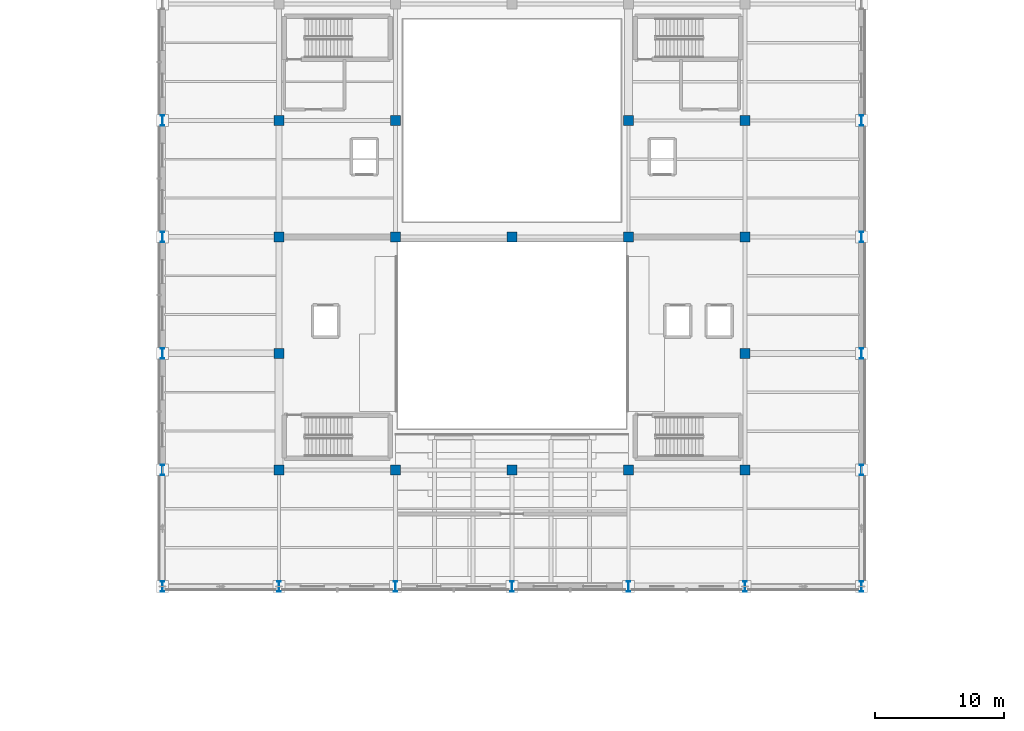
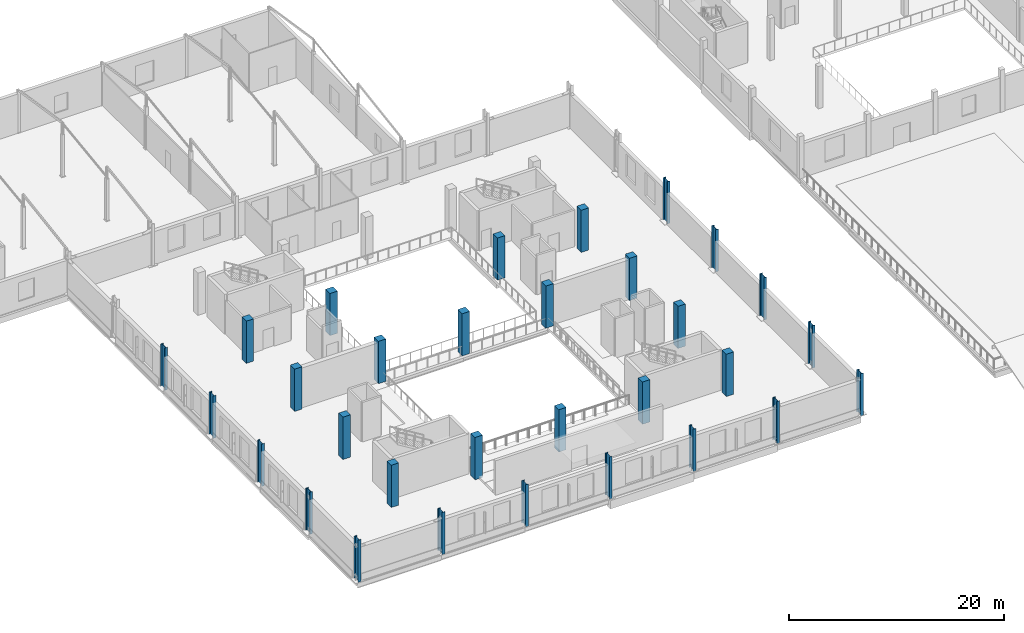
# One storey, part 1 of 54: 31 columns.
"""IFC4 building model written with IfcOpenShell, lengths in metres."""

from ifc_helpers import new_model, si_unit, direction, frame, origin, origin_2d, place, context, subcontext, project, spatial, rectangle, i_section, extrude, material, material_profile, profile_set, type_object, element, save


model = new_model("IFC4")

# Units and contexts
model_context = context("Model", 3, precision=1e-05, world=origin(), true_north=direction((0.0, 1.0)))
body_context = subcontext(model_context, "Body", "Model", "MODEL_VIEW")
ifc_project = project(units=[si_unit("LENGTHUNIT", "METRE"), si_unit("AREAUNIT", "SQUARE_METRE"), si_unit("VOLUMEUNIT", "CUBIC_METRE"), si_unit("PLANEANGLEUNIT", "RADIAN"), si_unit("MASSUNIT", "GRAM", prefix="KILO")], contexts=[model_context])

# Site, building, storey
site_placement = place(None, origin())
site = spatial("IfcSite", under=ifc_project, at=site_placement, CompositionType="ELEMENT")
building_placement = place(site_placement, origin())
building = spatial("IfcBuilding", under=site, at=building_placement, Name="Sundgate Opera House", CompositionType="ELEMENT")
storey_placement = place(building_placement, frame((0.0, 0.0, 16.800048828125)))
storey = spatial("IfcBuildingStorey", under=building, at=storey_placement, Name="L03", CompositionType="ELEMENT", Elevation=16.800048828125)

# Columns
ifc_material_1 = material(Name="Concrete C40/50", Category="concrete")
ifc_material_profile_1 = material_profile(ifc_material_1, rectangle(XDim=0.800048828125, YDim=0.800048828125, at=origin_2d()), Name="RC 800x800")
ifc_profile_set_1 = profile_set([ifc_material_profile_1], Name="Concrete C40/50")
column_type_1 = type_object("IfcColumnType", Name="CL-RC-800", PredefinedType="COLUMN", material=ifc_profile_set_1)
for number, where, z_axis, x_axis, name in (
    (1, (36.0, 42.0, 0.0), (0.0, 0.0, 1.0), (1.0, 0.0, 0.0), "L03 Column C0224"),
    (2, (36.0, 51.0, 0.0), (0.0, 0.0, 1.0), (1.0, 0.0, 0.0), "L03 Column C0230"),
    (3, (36.0, 60.0, 0.0), (0.0, 0.0, 1.0), (1.0, 0.0, 0.0), "L03 Column C0236"),
    (4, (36.0, 69.0, 0.0), (0.0, 0.0, 1.0), (1.0, 0.0, 0.0), "L03 Column C0244"),
    (5, (45.0, 42.0, 0.0), (0.0, 0.0, 1.0), (1.0, 0.0, 0.0), "L03 Column C0289"),
    (6, (45.0, 60.0, 0.0), (0.0, 0.0, 1.0), (1.0, 0.0, 0.0), "L03 Column C0296"),
    (7, (45.0, 69.0, 0.0), (0.0, 0.0, 1.0), (1.0, 0.0, 0.0), "L03 Column C0304"),
    (8, (54.0, 42.0, 0.0), (0.0, 0.0, 1.0), (1.0, 0.0, 0.0), "L03 Column C0349"),
    (9, (54.0, 60.0, 0.0), (0.0, 0.0, 1.0), (1.0, 0.0, 0.0), "L03 Column C0356"),
    (10, (63.0, 42.0, 0.0), (0.0, 0.0, 1.0), (1.0, 0.0, 0.0), "L03 Column C0404"),
    (11, (63.0, 60.0, 0.0), (0.0, 0.0, 1.0), (1.0, 0.0, 0.0), "L03 Column C0412"),
    (12, (63.0, 69.0, 0.0), (0.0, 0.0, 1.0), (1.0, 0.0, 0.0), "L03 Column C0420"),
    (13, (72.0, 42.0, 0.0), (0.0, 0.0, 1.0), (1.0, 0.0, 0.0), "L03 Column C0465"),
    (14, (72.0, 51.0, 0.0), (0.0, 0.0, 1.0), (1.0, 0.0, 0.0), "L03 Column C0472"),
    (15, (72.0, 60.0, 0.0), (0.0, 0.0, 1.0), (1.0, 0.0, 0.0), "L03 Column C0479"),
    (16, (72.0, 69.0, 0.0), (0.0, 0.0, 1.0), (1.0, 0.0, 0.0), "L03 Column C0487"),
):
    element("IfcColumn", number, at=place(storey_placement, frame(where, z_axis=z_axis, x_axis=x_axis)), inside=storey, type_object=column_type_1, Name=name, PredefinedType="COLUMN", context=body_context, shape_type="SweptSolid", body=[
        extrude(rectangle(XDim=0.800048828125, YDim=0.800048828125, at=origin_2d()), origin(), (0.0, 0.0, 1.0), 4.800048828125),
    ])
ifc_material_2 = material(Name="Steel S355J2", Category="steel")
ifc_material_profile_2 = material_profile(ifc_material_2, i_section(OverallWidth=0.300048828125, OverallDepth=0.800048828125, WebThickness=0.017578125, FlangeThickness=0.032958984375, at=origin_2d()), Name="HEB 800")
ifc_profile_set_2 = profile_set([ifc_material_profile_2], Name="Steel S355J2")
column_type_2 = type_object("IfcColumnType", Name="CL-STL-800", PredefinedType="COLUMN", material=ifc_profile_set_2)
for number, where, z_axis, x_axis, name in (
    (17, (27.0, 33.0, 0.0), (0.0, 0.0, 1.0), (1.0, 0.0, 0.0), "L03 Column C0160"),
    (18, (27.0, 42.0, 0.0), (0.0, 0.0, 1.0), (1.0, 0.0, 0.0), "L03 Column C0165"),
    (19, (27.0, 51.0, 0.0), (0.0, 0.0, 1.0), (1.0, 0.0, 0.0), "L03 Column C0170"),
    (20, (27.0, 60.0, 0.0), (0.0, 0.0, 1.0), (1.0, 0.0, 0.0), "L03 Column C0175"),
    (21, (27.0, 69.0, 0.0), (0.0, 0.0, 1.0), (1.0, 0.0, 0.0), "L03 Column C0181"),
    (22, (36.0, 33.0, 0.0), (0.0, 0.0, 1.0), (1.0, 0.0, 0.0), "L03 Column C0217"),
    (23, (45.0, 33.0, 0.0), (0.0, 0.0, 1.0), (1.0, 0.0, 0.0), "L03 Column C0282"),
    (24, (54.0, 33.0, 0.0), (0.0, 0.0, 1.0), (1.0, 0.0, 0.0), "L03 Column C0342"),
    (25, (63.0, 33.0, 0.0), (0.0, 0.0, 1.0), (1.0, 0.0, 0.0), "L03 Column C0397"),
    (26, (72.0, 33.0, 0.0), (0.0, 0.0, 1.0), (1.0, 0.0, 0.0), "L03 Column C0458"),
    (27, (81.0, 33.0, 0.0), (0.0, 0.0, 1.0), (1.0, 0.0, 0.0), "L03 Column C0531"),
    (28, (81.0, 42.0, 0.0), (0.0, 0.0, 1.0), (1.0, 0.0, 0.0), "L03 Column C0536"),
    (29, (81.0, 51.0, 0.0), (0.0, 0.0, 1.0), (1.0, 0.0, 0.0), "L03 Column C0541"),
    (30, (81.0, 60.0, 0.0), (0.0, 0.0, 1.0), (1.0, 0.0, 0.0), "L03 Column C0546"),
    (31, (81.0, 69.0, 0.0), (0.0, 0.0, 1.0), (1.0, 0.0, 0.0), "L03 Column C0552"),
):
    element("IfcColumn", number, at=place(storey_placement, frame(where, z_axis=z_axis, x_axis=x_axis)), inside=storey, type_object=column_type_2, Name=name, PredefinedType="COLUMN", context=body_context, shape_type="SweptSolid", body=[
        extrude(i_section(OverallWidth=0.300048828125, OverallDepth=0.800048828125, WebThickness=0.017578125, FlangeThickness=0.032958984375, at=origin_2d()), origin(), (0.0, 0.0, 1.0), 4.800048828125),
    ])

save(model, "model.ifc")
